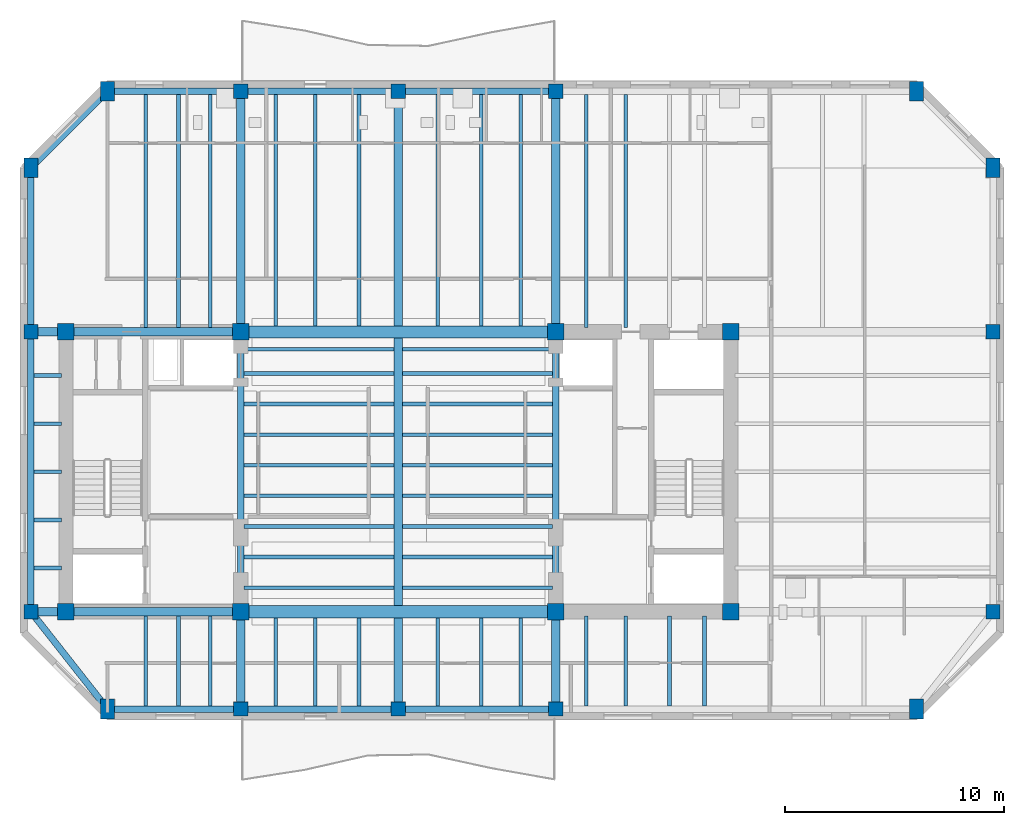
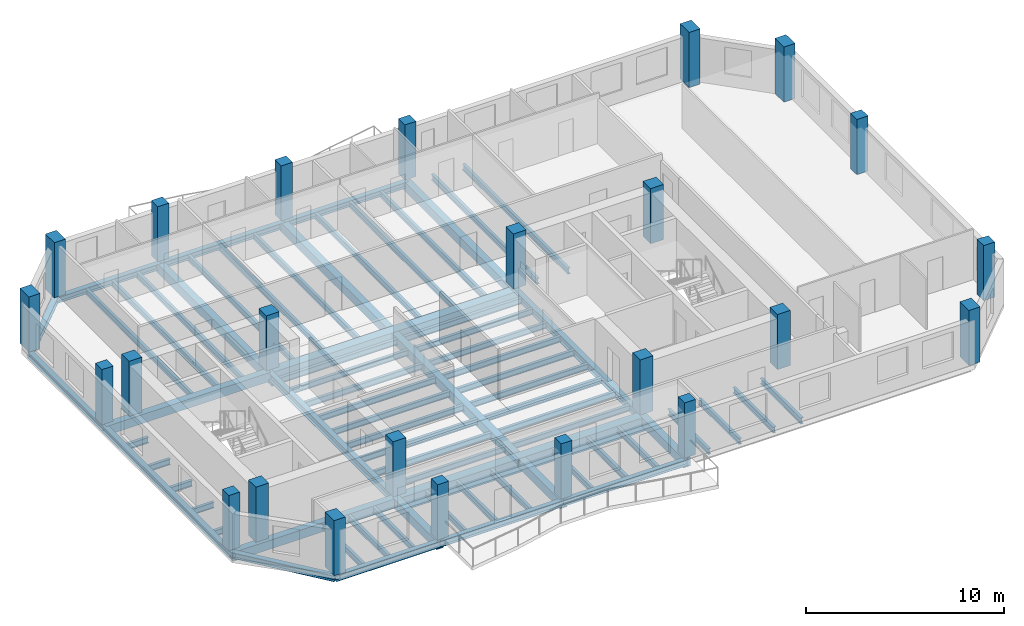
# One storey, part 1 of 9: 70 beams, 24 columns.
"""IFC4 building model written with IfcOpenShell, lengths in metres."""

from ifc_helpers import new_model, si_unit, direction, frame, origin, origin_2d, place, context, subcontext, project, spatial, rectangle, i_section, extrude, material, material_profile, profile_set, type_object, element, save


model = new_model("IFC4")

# Units and contexts
model_context = context("Model", 3, precision=1e-05, world=origin(), true_north=direction((0.0, 1.0)))
body_context = subcontext(model_context, "Body", "Model", "MODEL_VIEW")
ifc_project = project(units=[si_unit("LENGTHUNIT", "METRE"), si_unit("AREAUNIT", "SQUARE_METRE"), si_unit("VOLUMEUNIT", "CUBIC_METRE"), si_unit("PLANEANGLEUNIT", "RADIAN"), si_unit("MASSUNIT", "GRAM", prefix="KILO")], contexts=[model_context])

# Site, building, storey
site_placement = place(None, origin())
site = spatial("IfcSite", under=ifc_project, at=site_placement, CompositionType="ELEMENT")
building_placement = place(site_placement, origin())
building = spatial("IfcBuilding", under=site, at=building_placement, Name="Kranthara Brick Stack", CompositionType="ELEMENT")
storey_placement = place(building_placement, frame((0.0, 0.0, 258.5)))
storey = spatial("IfcBuildingStorey", under=building, at=storey_placement, Name="L68", CompositionType="ELEMENT", Elevation=258.5)

# Columns
ifc_material_1 = material(Name="Concrete C50/60", Category="concrete")
ifc_material_profile_1 = material_profile(ifc_material_1, rectangle(XDim=0.64990234375, YDim=0.89990234375, at=origin_2d()), Name="RC 650x900")
ifc_profile_set_1 = profile_set([ifc_material_profile_1], Name="Concrete C50/60")
column_type_1 = type_object("IfcColumnType", Name="COL-CHAM-650x900", PredefinedType="COLUMN", material=ifc_profile_set_1)
for number, where, z_axis, x_axis, name in (
    (1, (14.699951171875, 16.35009765625, 0.0), (0.0, 0.0, 1.0), (1.0, 0.0, 0.0), "L68 Column 09"),
    (2, (14.699951171875, 44.60009765625, 0.0), (0.0, 0.0, 1.0), (1.0, 0.0, 0.0), "L68 Column 10"),
    (3, (51.699951171875, 16.35009765625, 0.0), (0.0, 0.0, 1.0), (1.0, 0.0, 0.0), "L68 Column 17"),
    (4, (51.699951171875, 44.60009765625, 0.0), (0.0, 0.0, 1.0), (1.0, 0.0, 0.0), "L68 Column 18"),
    (5, (11.199951171875, 41.10009765625, 0.0), (0.0, 0.0, 1.0), (1.0, 0.0, 0.0), "L68 Column 23"),
    (6, (55.199951171875, 41.10009765625, 0.0), (0.0, 0.0, 1.0), (1.0, 0.0, 0.0), "L68 Column 24"),
):
    element("IfcColumn", number, at=place(storey_placement, frame(where, z_axis=z_axis, x_axis=x_axis)), inside=storey, type_object=column_type_1, Name=name, PredefinedType="COLUMN", context=body_context, shape_type="SweptSolid", body=[
        extrude(rectangle(XDim=0.64990234375, YDim=0.89990234375, at=origin_2d()), origin(), (0.0, 0.0, 1.0), 3.39990234375),
    ])
ifc_material_2 = material(Name="Concrete C50/60", Category="concrete")
ifc_material_profile_2 = material_profile(ifc_material_2, rectangle(XDim=0.75, YDim=0.75, at=origin_2d()), Name="RC 750x750")
ifc_profile_set_2 = profile_set([ifc_material_profile_2], Name="Concrete C50/60")
column_type_2 = type_object("IfcColumnType", Name="COL-CORE-750", PredefinedType="COLUMN", material=ifc_profile_set_2)
for number, where, z_axis, x_axis, name in (
    (7, (12.800048828125, 20.800048828125, 0.0), (0.0, 0.0, 1.0), (1.0, 0.0, 0.0), "L68 Column 01"),
    (8, (20.800048828125, 20.800048828125, 0.0), (0.0, 0.0, 1.0), (1.0, 0.0, 0.0), "L68 Column 02"),
    (9, (12.800048828125, 33.60009765625, 0.0), (0.0, 0.0, 1.0), (1.0, 0.0, 0.0), "L68 Column 03"),
    (10, (20.800048828125, 33.60009765625, 0.0), (0.0, 0.0, 1.0), (1.0, 0.0, 0.0), "L68 Column 04"),
    (11, (35.199951171875, 20.800048828125, 0.0), (0.0, 0.0, 1.0), (1.0, 0.0, 0.0), "L68 Column 05"),
    (12, (43.199951171875, 20.800048828125, 0.0), (0.0, 0.0, 1.0), (1.0, 0.0, 0.0), "L68 Column 06"),
    (13, (35.199951171875, 33.60009765625, 0.0), (0.0, 0.0, 1.0), (1.0, 0.0, 0.0), "L68 Column 07"),
    (14, (43.199951171875, 33.60009765625, 0.0), (0.0, 0.0, 1.0), (1.0, 0.0, 0.0), "L68 Column 08"),
):
    element("IfcColumn", number, at=place(storey_placement, frame(where, z_axis=z_axis, x_axis=x_axis)), inside=storey, type_object=column_type_2, Name=name, PredefinedType="COLUMN", context=body_context, shape_type="SweptSolid", body=[
        extrude(rectangle(XDim=0.75, YDim=0.75, at=origin_2d()), origin(), (0.0, 0.0, 1.0), 3.39990234375),
    ])
ifc_material_3 = material(Name="Concrete C50/60", Category="concrete")
ifc_material_profile_3 = material_profile(ifc_material_3, rectangle(XDim=0.64990234375, YDim=0.64990234375, at=origin_2d()), Name="RC 650x650")
ifc_profile_set_3 = profile_set([ifc_material_profile_3], Name="Concrete C50/60")
column_type_3 = type_object("IfcColumnType", Name="COL-PER-650", PredefinedType="COLUMN", material=ifc_profile_set_3)
for number, where, z_axis, x_axis, name in (
    (15, (20.800048828125, 16.35009765625, 0.0), (0.0, 0.0, 1.0), (1.0, 0.0, 0.0), "L68 Column 11"),
    (16, (20.800048828125, 44.60009765625, 0.0), (0.0, 0.0, 1.0), (1.0, 0.0, 0.0), "L68 Column 12"),
    (17, (28.0, 16.35009765625, 0.0), (0.0, 0.0, 1.0), (1.0, 0.0, 0.0), "L68 Column 13"),
    (18, (28.0, 44.60009765625, 0.0), (0.0, 0.0, 1.0), (1.0, 0.0, 0.0), "L68 Column 14"),
    (19, (35.199951171875, 16.35009765625, 0.0), (0.0, 0.0, 1.0), (1.0, 0.0, 0.0), "L68 Column 15"),
    (20, (35.199951171875, 44.60009765625, 0.0), (0.0, 0.0, 1.0), (1.0, 0.0, 0.0), "L68 Column 16"),
    (21, (11.199951171875, 20.800048828125, 0.0), (0.0, 0.0, 1.0), (1.0, 0.0, 0.0), "L68 Column 19"),
    (22, (55.199951171875, 20.800048828125, 0.0), (0.0, 0.0, 1.0), (1.0, 0.0, 0.0), "L68 Column 20"),
    (23, (11.199951171875, 33.60009765625, 0.0), (0.0, 0.0, 1.0), (1.0, 0.0, 0.0), "L68 Column 21"),
    (24, (55.199951171875, 33.60009765625, 0.0), (0.0, 0.0, 1.0), (1.0, 0.0, 0.0), "L68 Column 22"),
):
    element("IfcColumn", number, at=place(storey_placement, frame(where, z_axis=z_axis, x_axis=x_axis)), inside=storey, type_object=column_type_3, Name=name, PredefinedType="COLUMN", context=body_context, shape_type="SweptSolid", body=[
        extrude(rectangle(XDim=0.64990234375, YDim=0.64990234375, at=origin_2d()), origin(), (0.0, 0.0, 1.0), 3.39990234375),
    ])

# Beams
ifc_material_4 = material(Name="Concrete C50/60", Category="concrete")
ifc_material_profile_4 = material_profile(ifc_material_4, rectangle(XDim=0.550048828125, YDim=0.85009765625, at=origin_2d()), Name="RC 550x850")
ifc_profile_set_4 = profile_set([ifc_material_profile_4], Name="Concrete C50/60")
beam_type_1 = type_object("IfcBeamType", Name="BM-CPL-RC850", PredefinedType="LINTEL", material=ifc_profile_set_4)
for number, where, z_axis, x_axis, name in (
    (25, (20.800048828125, 20.800048828125, -0.72509765625), (1.0, 0.0, 0.0), (0.0, 1.0, 0.0), "L68 Core Coupling Beam 001"),
    (26, (20.800048828125, 33.60009765625, -0.72509765625), (1.0, 0.0, 0.0), (0.0, 1.0, 0.0), "L68 Core Coupling Beam 002"),
):
    element("IfcBeam", number, at=place(storey_placement, frame(where, z_axis=z_axis, x_axis=x_axis)), inside=storey, type_object=beam_type_1, Name=name, PredefinedType="LINTEL", context=body_context, shape_type="SweptSolid", body=[
        extrude(rectangle(XDim=0.550048828125, YDim=0.85009765625, at=origin_2d()), origin(), (0.0, 0.0, 1.0), 14.39990234375),
    ])
ifc_material_5 = material(Name="Post-tensioned concrete C45/55", Category="concrete")
ifc_material_profile_5 = material_profile(ifc_material_5, rectangle(XDim=0.39990234375, YDim=0.550048828125, at=origin_2d()), Name="PT 400x550")
ifc_profile_set_5 = profile_set([ifc_material_profile_5], Name="Post-tensioned concrete C45/55")
beam_type_2 = type_object("IfcBeamType", Name="BM-FLR-PT550", PredefinedType="BEAM", material=ifc_profile_set_5)
beam_1_placement = place(storey_placement, frame((20.800048828125, 16.35009765625, -0.574951171875), z_axis=(0.0, 1.0, 0.0), x_axis=(-1.0, 0.0, 0.0)))
element("IfcBeam", 27, at=beam_1_placement, inside=storey, type_object=beam_type_2, Name="L68 Primary Grid Girder 021", PredefinedType="BEAM", context=body_context, shape_type="SweptSolid", body=[
    extrude(rectangle(XDim=0.39990234375, YDim=0.550048828125, at=origin_2d()), origin(), (0.0, 0.0, 1.0), 4.449951171875),
])
beam_2_placement = place(storey_placement, frame((20.800048828125, 33.60009765625, -0.574951171875), z_axis=(0.0, 1.0, 0.0), x_axis=(-1.0, 0.0, 0.0)))
element("IfcBeam", 28, at=beam_2_placement, inside=storey, type_object=beam_type_2, Name="L68 Primary Grid Girder 022", PredefinedType="BEAM", context=body_context, shape_type="SweptSolid", body=[
    extrude(rectangle(XDim=0.39990234375, YDim=0.550048828125, at=origin_2d()), origin(), (0.0, 0.0, 1.0), 11.0),
])
beam_3_placement = place(storey_placement, frame((28.0, 16.35009765625, -0.574951171875), z_axis=(0.0, 1.0, 0.0), x_axis=(-1.0, 0.0, 0.0)))
element("IfcBeam", 29, at=beam_3_placement, inside=storey, type_object=beam_type_2, Name="L68 Primary Grid Girder 023", PredefinedType="BEAM", context=body_context, shape_type="SweptSolid", body=[
    extrude(rectangle(XDim=0.39990234375, YDim=0.550048828125, at=origin_2d()), origin(), (0.0, 0.0, 1.0), 4.1748046875),
])
beam_4_placement = place(storey_placement, frame((28.0, 21.074951171875, -0.574951171875), z_axis=(0.0, 1.0, 0.0), x_axis=(-1.0, 0.0, 0.0)))
element("IfcBeam", 30, at=beam_4_placement, inside=storey, type_object=beam_type_2, Name="L68 Central Spine Girder 024", PredefinedType="BEAM", context=body_context, shape_type="SweptSolid", body=[
    extrude(rectangle(XDim=0.39990234375, YDim=0.550048828125, at=origin_2d()), origin(), (0.0, 0.0, 1.0), 12.25),
])
beam_5_placement = place(storey_placement, frame((28.0, 33.875, -0.574951171875), z_axis=(0.0, 1.0, 0.0), x_axis=(-1.0, 0.0, 0.0)))
element("IfcBeam", 31, at=beam_5_placement, inside=storey, type_object=beam_type_2, Name="L68 Primary Grid Girder 025", PredefinedType="BEAM", context=body_context, shape_type="SweptSolid", body=[
    extrude(rectangle(XDim=0.39990234375, YDim=0.550048828125, at=origin_2d()), origin(), (0.0, 0.0, 1.0), 10.72509765625),
])
beam_6_placement = place(storey_placement, frame((35.199951171875, 16.35009765625, -0.574951171875), z_axis=(0.0, 1.0, 0.0), x_axis=(-1.0, 0.0, 0.0)))
element("IfcBeam", 32, at=beam_6_placement, inside=storey, type_object=beam_type_2, Name="L68 Primary Grid Girder 026", PredefinedType="BEAM", context=body_context, shape_type="SweptSolid", body=[
    extrude(rectangle(XDim=0.39990234375, YDim=0.550048828125, at=origin_2d()), origin(), (0.0, 0.0, 1.0), 4.449951171875),
])
beam_7_placement = place(storey_placement, frame((35.199951171875, 33.60009765625, -0.574951171875), z_axis=(0.0, 1.0, 0.0), x_axis=(-1.0, 0.0, 0.0)))
element("IfcBeam", 33, at=beam_7_placement, inside=storey, type_object=beam_type_2, Name="L68 Primary Grid Girder 027", PredefinedType="BEAM", context=body_context, shape_type="SweptSolid", body=[
    extrude(rectangle(XDim=0.39990234375, YDim=0.550048828125, at=origin_2d()), origin(), (0.0, 0.0, 1.0), 11.0),
])
for number, where, z_axis, x_axis, name in (
    (34, (11.199951171875, 20.800048828125, -0.574951171875), (1.0, 0.0, 0.0), (0.0, 1.0, 0.0), "L68 Primary Grid Girder 028"),
    (35, (11.199951171875, 33.60009765625, -0.574951171875), (1.0, 0.0, 0.0), (0.0, 1.0, 0.0), "L68 Primary Grid Girder 030"),
):
    element("IfcBeam", number, at=place(storey_placement, frame(where, z_axis=z_axis, x_axis=x_axis)), inside=storey, type_object=beam_type_2, Name=name, PredefinedType="BEAM", context=body_context, shape_type="SweptSolid", body=[
        extrude(rectangle(XDim=0.39990234375, YDim=0.550048828125, at=origin_2d()), origin(), (0.0, 0.0, 1.0), 9.60009765625),
    ])
ifc_material_6 = material(Name="Steel S355", Category="steel")
ifc_material_profile_6 = material_profile(ifc_material_6, i_section(OverallWidth=0.169921875, OverallDepth=0.360107421875, WebThickness=0.008056640625, FlangeThickness=0.0126953125, at=origin_2d()), Name="IPE 360")
ifc_profile_set_6 = profile_set([ifc_material_profile_6], Name="Steel S355")
beam_type_3 = type_object("IfcBeamType", Name="BM-JST-IPE360", PredefinedType="JOIST", material=ifc_profile_set_6)
for number, where, z_axis, x_axis, name in (
    (36, (20.949951171875, 21.89990234375, -0.47998046875), (1.0, 0.0, 0.0), (0.0, 1.0, 0.0), "L68 Central Floor Joist 032"),
    (37, (28.199951171875, 21.89990234375, -0.47998046875), (1.0, 0.0, 0.0), (0.0, 1.0, 0.0), "L68 Central Floor Joist 033"),
    (38, (20.949951171875, 23.300048828125, -0.47998046875), (1.0, 0.0, 0.0), (0.0, 1.0, 0.0), "L68 Central Floor Joist 034"),
    (39, (28.199951171875, 23.300048828125, -0.47998046875), (1.0, 0.0, 0.0), (0.0, 1.0, 0.0), "L68 Central Floor Joist 035"),
    (40, (20.949951171875, 24.699951171875, -0.47998046875), (1.0, 0.0, 0.0), (0.0, 1.0, 0.0), "L68 Central Floor Joist 036"),
    (41, (28.199951171875, 24.699951171875, -0.47998046875), (1.0, 0.0, 0.0), (0.0, 1.0, 0.0), "L68 Central Floor Joist 037"),
    (42, (20.949951171875, 26.10009765625, -0.47998046875), (1.0, 0.0, 0.0), (0.0, 1.0, 0.0), "L68 Central Floor Joist 038"),
    (43, (28.199951171875, 26.10009765625, -0.47998046875), (1.0, 0.0, 0.0), (0.0, 1.0, 0.0), "L68 Central Floor Joist 039"),
    (44, (20.949951171875, 27.5, -0.47998046875), (1.0, 0.0, 0.0), (0.0, 1.0, 0.0), "L68 Central Floor Joist 040"),
    (45, (28.199951171875, 27.5, -0.47998046875), (1.0, 0.0, 0.0), (0.0, 1.0, 0.0), "L68 Central Floor Joist 041"),
    (46, (20.949951171875, 28.89990234375, -0.47998046875), (1.0, 0.0, 0.0), (0.0, 1.0, 0.0), "L68 Central Floor Joist 042"),
    (47, (28.199951171875, 28.89990234375, -0.47998046875), (1.0, 0.0, 0.0), (0.0, 1.0, 0.0), "L68 Central Floor Joist 043"),
    (48, (20.949951171875, 30.300048828125, -0.47998046875), (1.0, 0.0, 0.0), (0.0, 1.0, 0.0), "L68 Central Floor Joist 044"),
    (49, (28.199951171875, 30.300048828125, -0.47998046875), (1.0, 0.0, 0.0), (0.0, 1.0, 0.0), "L68 Central Floor Joist 045"),
    (50, (20.949951171875, 31.699951171875, -0.47998046875), (1.0, 0.0, 0.0), (0.0, 1.0, 0.0), "L68 Central Floor Joist 046"),
    (51, (28.199951171875, 31.699951171875, -0.47998046875), (1.0, 0.0, 0.0), (0.0, 1.0, 0.0), "L68 Central Floor Joist 047"),
    (52, (20.949951171875, 32.800048828125, -0.47998046875), (1.0, 0.0, 0.0), (0.0, 1.0, 0.0), "L68 Central Floor Joist 048"),
    (53, (28.199951171875, 32.800048828125, -0.47998046875), (1.0, 0.0, 0.0), (0.0, 1.0, 0.0), "L68 Central Floor Joist 049"),
):
    element("IfcBeam", number, at=place(storey_placement, frame(where, z_axis=z_axis, x_axis=x_axis)), inside=storey, type_object=beam_type_3, Name=name, PredefinedType="JOIST", context=body_context, shape_type="SweptSolid", body=[
        extrude(i_section(OverallWidth=0.169921875, OverallDepth=0.360107421875, WebThickness=0.008056640625, FlangeThickness=0.0126953125, at=origin_2d()), origin(), (0.0, 0.0, 1.0), 6.85009765625),
    ])
beam_8_placement = place(storey_placement, frame((16.449951171875, 16.5, -0.47998046875), z_axis=(0.0, 1.0, 0.0), x_axis=(-1.0, 0.0, 0.0)))
element("IfcBeam", 54, at=beam_8_placement, inside=storey, type_object=beam_type_3, Name="L68 South Wing Floor Joist 050", PredefinedType="JOIST", context=body_context, shape_type="SweptSolid", body=[
    extrude(i_section(OverallWidth=0.169921875, OverallDepth=0.360107421875, WebThickness=0.008056640625, FlangeThickness=0.0126953125, at=origin_2d()), origin(), (0.0, 0.0, 1.0), 4.10009765625),
])
beam_9_placement = place(storey_placement, frame((16.449951171875, 33.800048828125, -0.47998046875), z_axis=(0.0, 1.0, 0.0), x_axis=(-1.0, 0.0, 0.0)))
element("IfcBeam", 55, at=beam_9_placement, inside=storey, type_object=beam_type_3, Name="L68 North Wing Floor Joist 051", PredefinedType="JOIST", context=body_context, shape_type="SweptSolid", body=[
    extrude(i_section(OverallWidth=0.169921875, OverallDepth=0.360107421875, WebThickness=0.008056640625, FlangeThickness=0.0126953125, at=origin_2d()), origin(), (0.0, 0.0, 1.0), 10.64990234375),
])
beam_10_placement = place(storey_placement, frame((17.949951171875, 16.5, -0.47998046875), z_axis=(0.0, 1.0, 0.0), x_axis=(-1.0, 0.0, 0.0)))
element("IfcBeam", 56, at=beam_10_placement, inside=storey, type_object=beam_type_3, Name="L68 South Wing Floor Joist 052", PredefinedType="JOIST", context=body_context, shape_type="SweptSolid", body=[
    extrude(i_section(OverallWidth=0.169921875, OverallDepth=0.360107421875, WebThickness=0.008056640625, FlangeThickness=0.0126953125, at=origin_2d()), origin(), (0.0, 0.0, 1.0), 4.10009765625),
])
beam_11_placement = place(storey_placement, frame((17.949951171875, 33.800048828125, -0.47998046875), z_axis=(0.0, 1.0, 0.0), x_axis=(-1.0, 0.0, 0.0)))
element("IfcBeam", 57, at=beam_11_placement, inside=storey, type_object=beam_type_3, Name="L68 North Wing Floor Joist 053", PredefinedType="JOIST", context=body_context, shape_type="SweptSolid", body=[
    extrude(i_section(OverallWidth=0.169921875, OverallDepth=0.360107421875, WebThickness=0.008056640625, FlangeThickness=0.0126953125, at=origin_2d()), origin(), (0.0, 0.0, 1.0), 10.64990234375),
])
beam_12_placement = place(storey_placement, frame((19.39990234375, 16.5, -0.47998046875), z_axis=(0.0, 1.0, 0.0), x_axis=(-1.0, 0.0, 0.0)))
element("IfcBeam", 58, at=beam_12_placement, inside=storey, type_object=beam_type_3, Name="L68 South Wing Floor Joist 054", PredefinedType="JOIST", context=body_context, shape_type="SweptSolid", body=[
    extrude(i_section(OverallWidth=0.169921875, OverallDepth=0.360107421875, WebThickness=0.008056640625, FlangeThickness=0.0126953125, at=origin_2d()), origin(), (0.0, 0.0, 1.0), 4.10009765625),
])
beam_13_placement = place(storey_placement, frame((19.39990234375, 33.800048828125, -0.47998046875), z_axis=(0.0, 1.0, 0.0), x_axis=(-1.0, 0.0, 0.0)))
element("IfcBeam", 59, at=beam_13_placement, inside=storey, type_object=beam_type_3, Name="L68 North Wing Floor Joist 055", PredefinedType="JOIST", context=body_context, shape_type="SweptSolid", body=[
    extrude(i_section(OverallWidth=0.169921875, OverallDepth=0.360107421875, WebThickness=0.008056640625, FlangeThickness=0.0126953125, at=origin_2d()), origin(), (0.0, 0.0, 1.0), 10.64990234375),
])
beam_14_placement = place(storey_placement, frame((22.39990234375, 16.5, -0.47998046875), z_axis=(0.0, 1.0, 0.0), x_axis=(-1.0, 0.0, 0.0)))
element("IfcBeam", 60, at=beam_14_placement, inside=storey, type_object=beam_type_3, Name="L68 South Wing Floor Joist 056", PredefinedType="JOIST", context=body_context, shape_type="SweptSolid", body=[
    extrude(i_section(OverallWidth=0.169921875, OverallDepth=0.360107421875, WebThickness=0.008056640625, FlangeThickness=0.0126953125, at=origin_2d()), origin(), (0.0, 0.0, 1.0), 4.02490234375),
])
beam_15_placement = place(storey_placement, frame((22.39990234375, 33.875, -0.47998046875), z_axis=(0.0, 1.0, 0.0), x_axis=(-1.0, 0.0, 0.0)))
element("IfcBeam", 61, at=beam_15_placement, inside=storey, type_object=beam_type_3, Name="L68 North Wing Floor Joist 057", PredefinedType="JOIST", context=body_context, shape_type="SweptSolid", body=[
    extrude(i_section(OverallWidth=0.169921875, OverallDepth=0.360107421875, WebThickness=0.008056640625, FlangeThickness=0.0126953125, at=origin_2d()), origin(), (0.0, 0.0, 1.0), 10.574951171875),
])
beam_16_placement = place(storey_placement, frame((24.199951171875, 16.5, -0.47998046875), z_axis=(0.0, 1.0, 0.0), x_axis=(-1.0, 0.0, 0.0)))
element("IfcBeam", 62, at=beam_16_placement, inside=storey, type_object=beam_type_3, Name="L68 South Wing Floor Joist 058", PredefinedType="JOIST", context=body_context, shape_type="SweptSolid", body=[
    extrude(i_section(OverallWidth=0.169921875, OverallDepth=0.360107421875, WebThickness=0.008056640625, FlangeThickness=0.0126953125, at=origin_2d()), origin(), (0.0, 0.0, 1.0), 4.02490234375),
])
beam_17_placement = place(storey_placement, frame((24.199951171875, 33.875, -0.47998046875), z_axis=(0.0, 1.0, 0.0), x_axis=(-1.0, 0.0, 0.0)))
element("IfcBeam", 63, at=beam_17_placement, inside=storey, type_object=beam_type_3, Name="L68 North Wing Floor Joist 059", PredefinedType="JOIST", context=body_context, shape_type="SweptSolid", body=[
    extrude(i_section(OverallWidth=0.169921875, OverallDepth=0.360107421875, WebThickness=0.008056640625, FlangeThickness=0.0126953125, at=origin_2d()), origin(), (0.0, 0.0, 1.0), 10.574951171875),
])
beam_18_placement = place(storey_placement, frame((26.199951171875, 16.5, -0.47998046875), z_axis=(0.0, 1.0, 0.0), x_axis=(-1.0, 0.0, 0.0)))
element("IfcBeam", 64, at=beam_18_placement, inside=storey, type_object=beam_type_3, Name="L68 South Wing Floor Joist 060", PredefinedType="JOIST", context=body_context, shape_type="SweptSolid", body=[
    extrude(i_section(OverallWidth=0.169921875, OverallDepth=0.360107421875, WebThickness=0.008056640625, FlangeThickness=0.0126953125, at=origin_2d()), origin(), (0.0, 0.0, 1.0), 4.02490234375),
])
beam_19_placement = place(storey_placement, frame((26.199951171875, 33.875, -0.47998046875), z_axis=(0.0, 1.0, 0.0), x_axis=(-1.0, 0.0, 0.0)))
element("IfcBeam", 65, at=beam_19_placement, inside=storey, type_object=beam_type_3, Name="L68 North Wing Floor Joist 061", PredefinedType="JOIST", context=body_context, shape_type="SweptSolid", body=[
    extrude(i_section(OverallWidth=0.169921875, OverallDepth=0.360107421875, WebThickness=0.008056640625, FlangeThickness=0.0126953125, at=origin_2d()), origin(), (0.0, 0.0, 1.0), 10.574951171875),
])
beam_20_placement = place(storey_placement, frame((29.800048828125, 16.5, -0.47998046875), z_axis=(0.0, 1.0, 0.0), x_axis=(-1.0, 0.0, 0.0)))
element("IfcBeam", 66, at=beam_20_placement, inside=storey, type_object=beam_type_3, Name="L68 South Wing Floor Joist 062", PredefinedType="JOIST", context=body_context, shape_type="SweptSolid", body=[
    extrude(i_section(OverallWidth=0.169921875, OverallDepth=0.360107421875, WebThickness=0.008056640625, FlangeThickness=0.0126953125, at=origin_2d()), origin(), (0.0, 0.0, 1.0), 4.02490234375),
])
beam_21_placement = place(storey_placement, frame((29.800048828125, 33.875, -0.47998046875), z_axis=(0.0, 1.0, 0.0), x_axis=(-1.0, 0.0, 0.0)))
element("IfcBeam", 67, at=beam_21_placement, inside=storey, type_object=beam_type_3, Name="L68 North Wing Floor Joist 063", PredefinedType="JOIST", context=body_context, shape_type="SweptSolid", body=[
    extrude(i_section(OverallWidth=0.169921875, OverallDepth=0.360107421875, WebThickness=0.008056640625, FlangeThickness=0.0126953125, at=origin_2d()), origin(), (0.0, 0.0, 1.0), 10.574951171875),
])
beam_22_placement = place(storey_placement, frame((31.800048828125, 16.5, -0.47998046875), z_axis=(0.0, 1.0, 0.0), x_axis=(-1.0, 0.0, 0.0)))
element("IfcBeam", 68, at=beam_22_placement, inside=storey, type_object=beam_type_3, Name="L68 South Wing Floor Joist 064", PredefinedType="JOIST", context=body_context, shape_type="SweptSolid", body=[
    extrude(i_section(OverallWidth=0.169921875, OverallDepth=0.360107421875, WebThickness=0.008056640625, FlangeThickness=0.0126953125, at=origin_2d()), origin(), (0.0, 0.0, 1.0), 4.02490234375),
])
beam_23_placement = place(storey_placement, frame((31.800048828125, 33.875, -0.47998046875), z_axis=(0.0, 1.0, 0.0), x_axis=(-1.0, 0.0, 0.0)))
element("IfcBeam", 69, at=beam_23_placement, inside=storey, type_object=beam_type_3, Name="L68 North Wing Floor Joist 065", PredefinedType="JOIST", context=body_context, shape_type="SweptSolid", body=[
    extrude(i_section(OverallWidth=0.169921875, OverallDepth=0.360107421875, WebThickness=0.008056640625, FlangeThickness=0.0126953125, at=origin_2d()), origin(), (0.0, 0.0, 1.0), 10.574951171875),
])
beam_24_placement = place(storey_placement, frame((33.60009765625, 16.5, -0.47998046875), z_axis=(0.0, 1.0, 0.0), x_axis=(-1.0, 0.0, 0.0)))
element("IfcBeam", 70, at=beam_24_placement, inside=storey, type_object=beam_type_3, Name="L68 South Wing Floor Joist 066", PredefinedType="JOIST", context=body_context, shape_type="SweptSolid", body=[
    extrude(i_section(OverallWidth=0.169921875, OverallDepth=0.360107421875, WebThickness=0.008056640625, FlangeThickness=0.0126953125, at=origin_2d()), origin(), (0.0, 0.0, 1.0), 4.02490234375),
])
beam_25_placement = place(storey_placement, frame((33.60009765625, 33.875, -0.47998046875), z_axis=(0.0, 1.0, 0.0), x_axis=(-1.0, 0.0, 0.0)))
element("IfcBeam", 71, at=beam_25_placement, inside=storey, type_object=beam_type_3, Name="L68 North Wing Floor Joist 067", PredefinedType="JOIST", context=body_context, shape_type="SweptSolid", body=[
    extrude(i_section(OverallWidth=0.169921875, OverallDepth=0.360107421875, WebThickness=0.008056640625, FlangeThickness=0.0126953125, at=origin_2d()), origin(), (0.0, 0.0, 1.0), 10.574951171875),
])
beam_26_placement = place(storey_placement, frame((36.60009765625, 16.5, -0.47998046875), z_axis=(0.0, 1.0, 0.0), x_axis=(-1.0, 0.0, 0.0)))
element("IfcBeam", 72, at=beam_26_placement, inside=storey, type_object=beam_type_3, Name="L68 South Wing Floor Joist 068", PredefinedType="JOIST", context=body_context, shape_type="SweptSolid", body=[
    extrude(i_section(OverallWidth=0.169921875, OverallDepth=0.360107421875, WebThickness=0.008056640625, FlangeThickness=0.0126953125, at=origin_2d()), origin(), (0.0, 0.0, 1.0), 4.10009765625),
])
beam_27_placement = place(storey_placement, frame((36.60009765625, 33.800048828125, -0.47998046875), z_axis=(0.0, 1.0, 0.0), x_axis=(-1.0, 0.0, 0.0)))
element("IfcBeam", 73, at=beam_27_placement, inside=storey, type_object=beam_type_3, Name="L68 North Wing Floor Joist 069", PredefinedType="JOIST", context=body_context, shape_type="SweptSolid", body=[
    extrude(i_section(OverallWidth=0.169921875, OverallDepth=0.360107421875, WebThickness=0.008056640625, FlangeThickness=0.0126953125, at=origin_2d()), origin(), (0.0, 0.0, 1.0), 10.64990234375),
])
beam_28_placement = place(storey_placement, frame((38.39990234375, 16.5, -0.47998046875), z_axis=(0.0, 1.0, 0.0), x_axis=(-1.0, 0.0, 0.0)))
element("IfcBeam", 74, at=beam_28_placement, inside=storey, type_object=beam_type_3, Name="L68 South Wing Floor Joist 070", PredefinedType="JOIST", context=body_context, shape_type="SweptSolid", body=[
    extrude(i_section(OverallWidth=0.169921875, OverallDepth=0.360107421875, WebThickness=0.008056640625, FlangeThickness=0.0126953125, at=origin_2d()), origin(), (0.0, 0.0, 1.0), 4.10009765625),
])
beam_29_placement = place(storey_placement, frame((38.39990234375, 33.800048828125, -0.47998046875), z_axis=(0.0, 1.0, 0.0), x_axis=(-1.0, 0.0, 0.0)))
element("IfcBeam", 75, at=beam_29_placement, inside=storey, type_object=beam_type_3, Name="L68 North Wing Floor Joist 071", PredefinedType="JOIST", context=body_context, shape_type="SweptSolid", body=[
    extrude(i_section(OverallWidth=0.169921875, OverallDepth=0.360107421875, WebThickness=0.008056640625, FlangeThickness=0.0126953125, at=origin_2d()), origin(), (0.0, 0.0, 1.0), 10.64990234375),
])
for number, where, z_axis, x_axis, name in (
    (76, (40.39990234375, 16.5, -0.47998046875), (0.0, 1.0, 0.0), (-1.0, 0.0, 0.0), "L68 South Wing Floor Joist 072"),
    (77, (42.0, 16.5, -0.47998046875), (0.0, 1.0, 0.0), (-1.0, 0.0, 0.0), "L68 South Wing Floor Joist 074"),
):
    element("IfcBeam", number, at=place(storey_placement, frame(where, z_axis=z_axis, x_axis=x_axis)), inside=storey, type_object=beam_type_3, Name=name, PredefinedType="JOIST", context=body_context, shape_type="SweptSolid", body=[
        extrude(i_section(OverallWidth=0.169921875, OverallDepth=0.360107421875, WebThickness=0.008056640625, FlangeThickness=0.0126953125, at=origin_2d()), origin(), (0.0, 0.0, 1.0), 4.10009765625),
    ])
for number, where, z_axis, x_axis, name in (
    (78, (11.35009765625, 22.800048828125, -0.47998046875), (1.0, 0.0, 0.0), (0.0, 1.0, 0.0), "L68 West Wing Floor Joist 082"),
    (79, (11.35009765625, 25.0, -0.47998046875), (1.0, 0.0, 0.0), (0.0, 1.0, 0.0), "L68 West Wing Floor Joist 084"),
    (80, (11.35009765625, 27.199951171875, -0.47998046875), (1.0, 0.0, 0.0), (0.0, 1.0, 0.0), "L68 West Wing Floor Joist 086"),
    (81, (11.35009765625, 29.39990234375, -0.47998046875), (1.0, 0.0, 0.0), (0.0, 1.0, 0.0), "L68 West Wing Floor Joist 088"),
    (82, (11.35009765625, 31.60009765625, -0.47998046875), (1.0, 0.0, 0.0), (0.0, 1.0, 0.0), "L68 West Wing Floor Joist 090"),
):
    element("IfcBeam", number, at=place(storey_placement, frame(where, z_axis=z_axis, x_axis=x_axis)), inside=storey, type_object=beam_type_3, Name=name, PredefinedType="JOIST", context=body_context, shape_type="SweptSolid", body=[
        extrude(i_section(OverallWidth=0.169921875, OverallDepth=0.360107421875, WebThickness=0.008056640625, FlangeThickness=0.0126953125, at=origin_2d()), origin(), (0.0, 0.0, 1.0), 1.25),
    ])
ifc_material_7 = material(Name="Steel S355", Category="steel")
ifc_material_profile_7 = material_profile(ifc_material_7, i_section(OverallWidth=0.300048828125, OverallDepth=0.360107421875, WebThickness=0.012451171875, FlangeThickness=0.0224609375, at=origin_2d()), Name="HEB 360")
ifc_profile_set_7 = profile_set([ifc_material_profile_7], Name="Steel S355")
beam_type_4 = type_object("IfcBeamType", Name="BM-STL-HEB360", PredefinedType="SPANDREL", material=ifc_profile_set_7)
beam_30_placement = place(storey_placement, frame((14.699951171875, 16.35009765625, -0.47998046875), z_axis=(1.0, 0.0, 0.0), x_axis=(0.0, 1.0, 0.0)))
element("IfcBeam", 83, at=beam_30_placement, inside=storey, type_object=beam_type_4, Name="L68 Perimeter Spandrel Beam 005", PredefinedType="SPANDREL", context=body_context, shape_type="SweptSolid", body=[
    extrude(i_section(OverallWidth=0.300048828125, OverallDepth=0.360107421875, WebThickness=0.012451171875, FlangeThickness=0.0224609375, at=origin_2d()), origin(), (0.0, 0.0, 1.0), 6.10009765625),
])
for number, where, z_axis, x_axis, name in (
    (84, (20.800048828125, 16.35009765625, -0.47998046875), (1.0, 0.0, 0.0), (0.0, 1.0, 0.0), "L68 Perimeter Spandrel Beam 006"),
    (85, (28.0, 16.35009765625, -0.47998046875), (1.0, 0.0, 0.0), (0.0, 1.0, 0.0), "L68 Perimeter Spandrel Beam 007"),
):
    element("IfcBeam", number, at=place(storey_placement, frame(where, z_axis=z_axis, x_axis=x_axis)), inside=storey, type_object=beam_type_4, Name=name, PredefinedType="SPANDREL", context=body_context, shape_type="SweptSolid", body=[
        extrude(i_section(OverallWidth=0.300048828125, OverallDepth=0.360107421875, WebThickness=0.012451171875, FlangeThickness=0.0224609375, at=origin_2d()), origin(), (0.0, 0.0, 1.0), 7.199951171875),
    ])
beam_31_placement = place(storey_placement, frame((14.699951171875, 44.60009765625, -0.47998046875), z_axis=(1.0, 0.0, 0.0), x_axis=(0.0, 1.0, 0.0)))
element("IfcBeam", 86, at=beam_31_placement, inside=storey, type_object=beam_type_4, Name="L68 Perimeter Spandrel Beam 009", PredefinedType="SPANDREL", context=body_context, shape_type="SweptSolid", body=[
    extrude(i_section(OverallWidth=0.300048828125, OverallDepth=0.360107421875, WebThickness=0.012451171875, FlangeThickness=0.0224609375, at=origin_2d()), origin(), (0.0, 0.0, 1.0), 6.10009765625),
])
for number, where, z_axis, x_axis, name in (
    (87, (20.800048828125, 44.60009765625, -0.47998046875), (1.0, 0.0, 0.0), (0.0, 1.0, 0.0), "L68 Perimeter Spandrel Beam 010"),
    (88, (28.0, 44.60009765625, -0.47998046875), (1.0, 0.0, 0.0), (0.0, 1.0, 0.0), "L68 Perimeter Spandrel Beam 011"),
):
    element("IfcBeam", number, at=place(storey_placement, frame(where, z_axis=z_axis, x_axis=x_axis)), inside=storey, type_object=beam_type_4, Name=name, PredefinedType="SPANDREL", context=body_context, shape_type="SweptSolid", body=[
        extrude(i_section(OverallWidth=0.300048828125, OverallDepth=0.360107421875, WebThickness=0.012451171875, FlangeThickness=0.0224609375, at=origin_2d()), origin(), (0.0, 0.0, 1.0), 7.199951171875),
    ])
beam_32_placement = place(storey_placement, frame((11.199951171875, 20.800048828125, -0.47998046875), z_axis=(0.0, 1.0, 0.0), x_axis=(-1.0, 0.0, 0.0)))
element("IfcBeam", 89, at=beam_32_placement, inside=storey, type_object=beam_type_4, Name="L68 Perimeter Spandrel Beam 013", PredefinedType="SPANDREL", context=body_context, shape_type="SweptSolid", body=[
    extrude(i_section(OverallWidth=0.300048828125, OverallDepth=0.360107421875, WebThickness=0.012451171875, FlangeThickness=0.0224609375, at=origin_2d()), origin(), (0.0, 0.0, 1.0), 12.800048828125),
])
beam_33_placement = place(storey_placement, frame((11.199951171875, 33.60009765625, -0.47998046875), z_axis=(0.0, 1.0, 0.0), x_axis=(-1.0, 0.0, 0.0)))
element("IfcBeam", 90, at=beam_33_placement, inside=storey, type_object=beam_type_4, Name="L68 Perimeter Spandrel Beam 014", PredefinedType="SPANDREL", context=body_context, shape_type="SweptSolid", body=[
    extrude(i_section(OverallWidth=0.300048828125, OverallDepth=0.360107421875, WebThickness=0.012451171875, FlangeThickness=0.0224609375, at=origin_2d()), origin(), (0.0, 0.0, 1.0), 7.5),
])
beam_34_placement = place(storey_placement, frame((14.699951171875, 16.35009765625, -0.47998046875), z_axis=(-0.618215705636, 0.78600848679, 0.0), x_axis=(-0.78600848679, -0.618215705636, 0.0)))
element("IfcBeam", 91, at=beam_34_placement, inside=storey, type_object=beam_type_4, Name="L68 Chamfer Corner Spandrel 017", PredefinedType="SPANDREL", context=body_context, shape_type="SweptSolid", body=[
    extrude(i_section(OverallWidth=0.300048828125, OverallDepth=0.360107421875, WebThickness=0.012451171875, FlangeThickness=0.0224609375, at=origin_2d()), origin(), (0.0, 0.0, 1.0), 5.661376953125),
])
beam_35_placement = place(storey_placement, frame((14.699951171875, 44.60009765625, -0.47998046875), z_axis=(-0.707106781187, -0.707106781187, 0.0), x_axis=(0.707106781187, -0.707106781187, 0.0)))
element("IfcBeam", 92, at=beam_35_placement, inside=storey, type_object=beam_type_4, Name="L68 Chamfer Corner Spandrel 019", PredefinedType="SPANDREL", context=body_context, shape_type="SweptSolid", body=[
    extrude(i_section(OverallWidth=0.300048828125, OverallDepth=0.360107421875, WebThickness=0.012451171875, FlangeThickness=0.0224609375, at=origin_2d()), origin(), (0.0, 0.0, 1.0), 4.94970703125),
])
ifc_material_8 = material(Name="Steel S355", Category="steel")
ifc_material_profile_8 = material_profile(ifc_material_8, i_section(OverallWidth=0.300048828125, OverallDepth=0.449951171875, WebThickness=0.013916015625, FlangeThickness=0.02587890625, at=origin_2d()), Name="HEB 450")
ifc_profile_set_8 = profile_set([ifc_material_profile_8], Name="Steel S355")
beam_type_5 = type_object("IfcBeamType", Name="BM-STL-HEB450", PredefinedType="SPANDREL", material=ifc_profile_set_8)
for number, where, z_axis, x_axis, name in (
    (93, (20.800048828125, 20.800048828125, -0.52490234375), (0.0, 1.0, 0.0), (-1.0, 0.0, 0.0), "L68 Core Edge Tie Beam 003"),
    (94, (35.199951171875, 20.800048828125, -0.52490234375), (0.0, 1.0, 0.0), (-1.0, 0.0, 0.0), "L68 Core Edge Tie Beam 004"),
):
    element("IfcBeam", number, at=place(storey_placement, frame(where, z_axis=z_axis, x_axis=x_axis)), inside=storey, type_object=beam_type_5, Name=name, PredefinedType="SPANDREL", context=body_context, shape_type="SweptSolid", body=[
        extrude(i_section(OverallWidth=0.300048828125, OverallDepth=0.449951171875, WebThickness=0.013916015625, FlangeThickness=0.02587890625, at=origin_2d()), origin(), (0.0, 0.0, 1.0), 12.800048828125),
    ])

save(model, "model.ifc")
